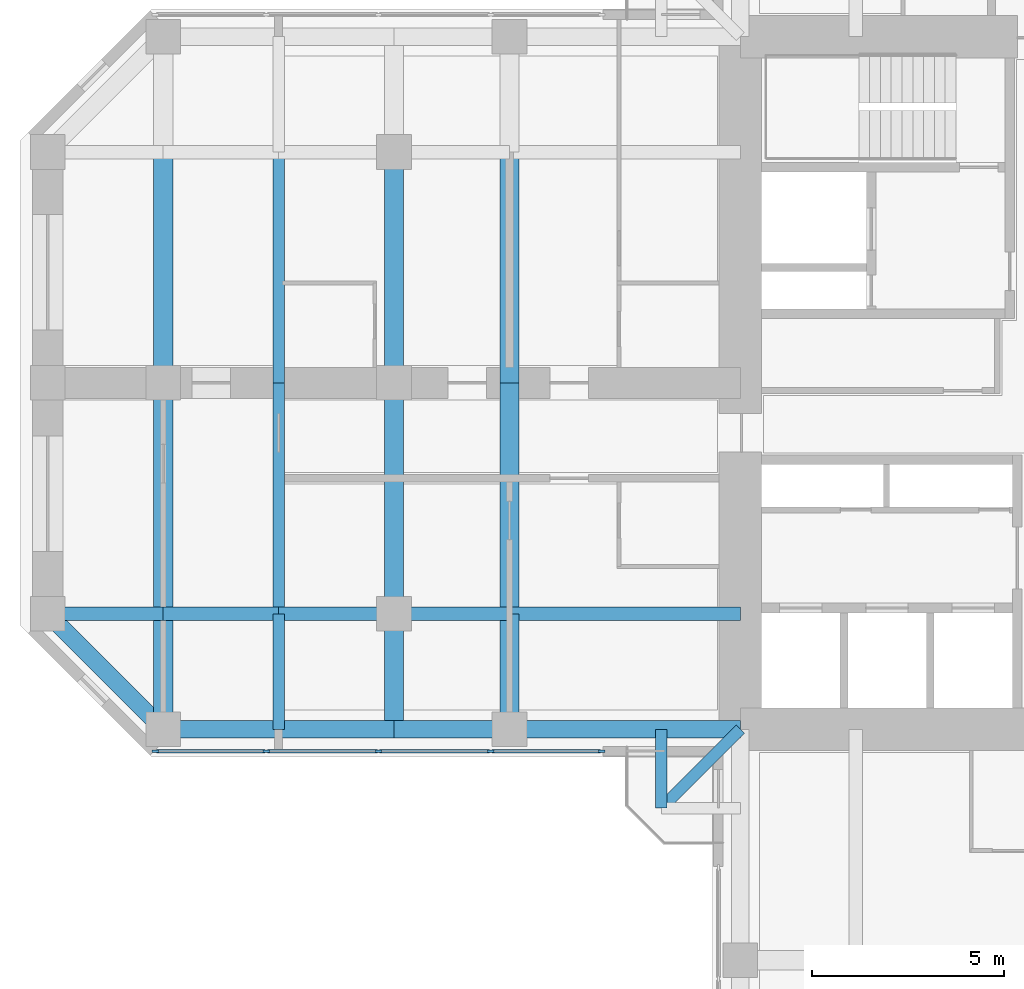
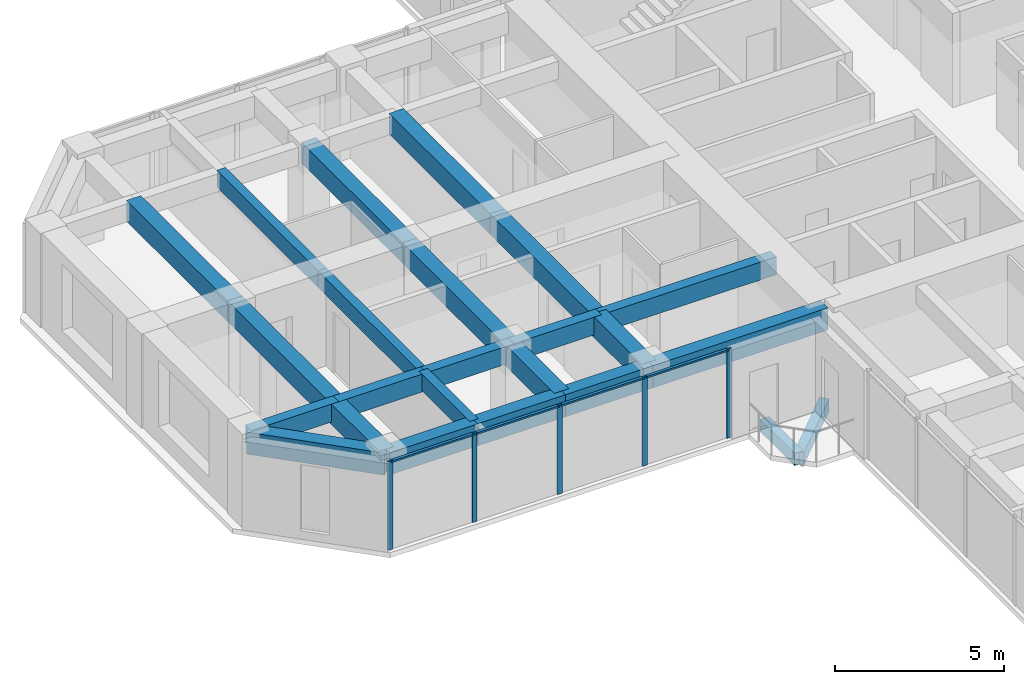
# One storey, part 3 of 14: 24 beams, 9 members, 1 element without a shape of its own.
"""IFC4 building model written with IfcOpenShell, lengths in metres."""

from ifc_helpers import new_model, si_unit, direction, frame, origin, origin_2d, place, context, subcontext, project, spatial, rectangle, extrude, material, material_profile, profile_set, type_object, element, aggregate, save


model = new_model("IFC4")

# Units and contexts
model_context = context("Model", 3, precision=1e-05, world=origin(), true_north=direction((0.0, 1.0)))
body_context = subcontext(model_context, "Body", "Model", "MODEL_VIEW")
ifc_project = project(units=[si_unit("LENGTHUNIT", "METRE"), si_unit("AREAUNIT", "SQUARE_METRE"), si_unit("VOLUMEUNIT", "CUBIC_METRE"), si_unit("PLANEANGLEUNIT", "RADIAN"), si_unit("MASSUNIT", "GRAM", prefix="KILO")], contexts=[model_context])

# Site, building, storey
site_placement = place(None, origin())
site = spatial("IfcSite", under=ifc_project, at=site_placement, CompositionType="ELEMENT")
building_placement = place(site_placement, origin())
building = spatial("IfcBuilding", under=site, at=building_placement, Name="Torre Cruceta", CompositionType="ELEMENT")
storey_placement = place(building_placement, frame((0.0, 0.0, 200.10009765625)))
storey = spatial("IfcBuildingStorey", under=building, at=storey_placement, Name="L50", CompositionType="ELEMENT", Elevation=200.10009765625)

# Beams
ifc_material_1 = material(Name="Concrete G60 (fck 60 MPa)", Category="concrete")
ifc_material_profile_1 = material_profile(ifc_material_1, rectangle(XDim=0.300048828125, YDim=0.449951171875, at=origin_2d()), Name="RC 300X450")
ifc_profile_set_1 = profile_set([ifc_material_profile_1], Name="Concrete G60 (fck 60 MPa)")
beam_type_1 = type_object("IfcBeamType", Name="BALCONY CANTILEVER BEAM RC 300X450", PredefinedType="BEAM", material=ifc_profile_set_1)
beam_1_placement = place(storey_placement, frame((-9.0, -9.0, -0.405029296875), z_axis=(-0.707106781187, -0.707106781187, 0.0), x_axis=(0.707106781187, -0.707106781187, 0.0)))
element("IfcBeam", 1, at=beam_1_placement, inside=storey, type_object=beam_type_1, Name="BB1 balcony beam L50 W", PredefinedType="BEAM", context=body_context, shape_type="SweptSolid", body=[
    extrude(rectangle(XDim=0.300048828125, YDim=0.449951171875, at=origin_2d()), origin(), (0.0, 0.0, 1.0), 2.89990234375),
])
beam_2_placement = place(storey_placement, frame((-11.050537109375, -9.0, -0.405029296875), z_axis=(0.0, -1.0, 0.0), x_axis=(1.0, 0.0, 0.0)))
element("IfcBeam", 2, at=beam_2_placement, inside=storey, type_object=beam_type_1, Name="BB1 balcony edge beam L50 W-X", PredefinedType="BEAM", context=body_context, shape_type="SweptSolid", body=[
    extrude(rectangle(XDim=0.300048828125, YDim=0.449951171875, at=origin_2d()), origin(), (0.0, 0.0, 1.0), 2.050537109375),
])
ifc_material_2 = material(Name="Concrete G60 (fck 60 MPa)", Category="concrete")
ifc_material_profile_2 = material_profile(ifc_material_2, rectangle(XDim=0.35009765625, YDim=0.64990234375, at=origin_2d()), Name="RC 350X650")
ifc_profile_set_2 = profile_set([ifc_material_profile_2], Name="Concrete G60 (fck 60 MPa)")
beam_type_2 = type_object("IfcBeamType", Name="COLUMN LINE BEAM RC 350X650", PredefinedType="BEAM", material=ifc_profile_set_2)
beam_3_placement = place(storey_placement, frame((-9.0, -6.0, 2.89501953125), z_axis=(-1.0, 0.0, 0.0), x_axis=(0.0, -1.0, 0.0)))
element("IfcBeam", 3, at=beam_3_placement, inside=storey, type_object=beam_type_2, Name="LB7 L50 W col+ 1", PredefinedType="BEAM", context=body_context, shape_type="SweptSolid", body=[
    extrude(rectangle(XDim=0.35009765625, YDim=0.64990234375, at=origin_2d()), origin(), (0.0, 0.0, 1.0), 6.0),
])
for number, where, z_axis, x_axis, name in (
    (4, (-15.0, -6.0, 2.89501953125), (-1.0, 0.0, 0.0), (0.0, -1.0, 0.0), "LB7 L50 W col+ 2"),
    (5, (-18.0, -6.0, 2.89501953125), (-1.0, 0.0, 0.0), (0.0, -1.0, 0.0), "LB7 L50 W col+ 3"),
    (6, (-21.0, -6.0, 2.89501953125), (-1.0, 0.0, 0.0), (0.0, -1.0, 0.0), "LB7 L50 W col+ 4"),
    (7, (-24.0, -6.0, 2.89501953125), (-1.0, 0.0, 0.0), (0.0, -1.0, 0.0), "LB7 L50 W col+ 5"),
):
    element("IfcBeam", number, at=place(storey_placement, frame(where, z_axis=z_axis, x_axis=x_axis)), inside=storey, type_object=beam_type_2, Name=name, PredefinedType="BEAM", context=body_context, shape_type="SweptSolid", body=[
        extrude(rectangle(XDim=0.35009765625, YDim=0.64990234375, at=origin_2d()), origin(), (0.0, 0.0, 1.0), 3.0),
    ])
ifc_material_3 = material(Name="Concrete G60 (fck 60 MPa)", Category="concrete")
ifc_material_profile_3 = material_profile(ifc_material_3, rectangle(XDim=0.5, YDim=0.75, at=origin_2d()), Name="RC 500X750")
ifc_profile_set_3 = profile_set([ifc_material_profile_3], Name="Concrete G60 (fck 60 MPa)")
beam_type_3 = type_object("IfcBeamType", Name="CROSS BEAM RC 500X750", PredefinedType="BEAM", material=ifc_profile_set_3)
for number, where, z_axis, x_axis, name in (
    (8, (-15.0, 6.0, 2.844970703125), (0.0, -1.0, 0.0), (1.0, 0.0, 0.0), "GB6 L50 W cross15 2"),
    (9, (-15.0, 0.0, 2.844970703125), (0.0, -1.0, 0.0), (1.0, 0.0, 0.0), "GB6 L50 W cross15 3"),
):
    element("IfcBeam", number, at=place(storey_placement, frame(where, z_axis=z_axis, x_axis=x_axis)), inside=storey, type_object=beam_type_3, Name=name, PredefinedType="BEAM", context=body_context, shape_type="SweptSolid", body=[
        extrude(rectangle(XDim=0.5, YDim=0.75, at=origin_2d()), origin(), (0.0, 0.0, 1.0), 6.0),
    ])
beam_4_placement = place(storey_placement, frame((-15.0, -6.0, 2.844970703125), z_axis=(0.0, -1.0, 0.0), x_axis=(1.0, 0.0, 0.0)))
element("IfcBeam", 10, at=beam_4_placement, inside=storey, type_object=beam_type_3, Name="GB6 L50 W cross15 4", PredefinedType="BEAM", context=body_context, shape_type="SweptSolid", body=[
    extrude(rectangle(XDim=0.5, YDim=0.75, at=origin_2d()), origin(), (0.0, 0.0, 1.0), 3.0),
])
for number, where, z_axis, x_axis, name in (
    (11, (-18.0, 6.0, 2.844970703125), (0.0, -1.0, 0.0), (1.0, 0.0, 0.0), "GB6 L50 W cross18 2"),
    (12, (-18.0, 0.0, 2.844970703125), (0.0, -1.0, 0.0), (1.0, 0.0, 0.0), "GB6 L50 W cross18 3"),
):
    element("IfcBeam", number, at=place(storey_placement, frame(where, z_axis=z_axis, x_axis=x_axis)), inside=storey, type_object=beam_type_3, Name=name, PredefinedType="BEAM", context=body_context, shape_type="SweptSolid", body=[
        extrude(rectangle(XDim=0.5, YDim=0.75, at=origin_2d()), origin(), (0.0, 0.0, 1.0), 6.0),
    ])
beam_5_placement = place(storey_placement, frame((-18.0, -6.0, 2.844970703125), z_axis=(0.0, -1.0, 0.0), x_axis=(1.0, 0.0, 0.0)))
element("IfcBeam", 13, at=beam_5_placement, inside=storey, type_object=beam_type_3, Name="GB6 L50 W cross18 4", PredefinedType="BEAM", context=body_context, shape_type="SweptSolid", body=[
    extrude(rectangle(XDim=0.5, YDim=0.75, at=origin_2d()), origin(), (0.0, 0.0, 1.0), 3.0),
])
for number, where, z_axis, x_axis, name in (
    (14, (-24.0, 6.0, 2.844970703125), (0.0, -1.0, 0.0), (1.0, 0.0, 0.0), "GB6 L50 W cross24 2"),
    (15, (-24.0, 0.0, 2.844970703125), (0.0, -1.0, 0.0), (1.0, 0.0, 0.0), "GB6 L50 W cross24 3"),
):
    element("IfcBeam", number, at=place(storey_placement, frame(where, z_axis=z_axis, x_axis=x_axis)), inside=storey, type_object=beam_type_3, Name=name, PredefinedType="BEAM", context=body_context, shape_type="SweptSolid", body=[
        extrude(rectangle(XDim=0.5, YDim=0.75, at=origin_2d()), origin(), (0.0, 0.0, 1.0), 6.0),
    ])
beam_6_placement = place(storey_placement, frame((-24.0, -6.0, 2.844970703125), z_axis=(0.0, -1.0, 0.0), x_axis=(1.0, 0.0, 0.0)))
element("IfcBeam", 16, at=beam_6_placement, inside=storey, type_object=beam_type_3, Name="GB6 L50 W cross24 4", PredefinedType="BEAM", context=body_context, shape_type="SweptSolid", body=[
    extrude(rectangle(XDim=0.5, YDim=0.75, at=origin_2d()), origin(), (0.0, 0.0, 1.0), 3.0),
])

# Curtain wall, members
ifc_material_4 = material(Name="Aluminium unitised curtain wall", Category="aluminium")
curtain_wall_type = type_object("IfcCurtainWallType", Name="CURTAIN WALL CW-C CO-LIVING", PredefinedType="USERDEFINED", material=ifc_material_4)
curtain_wall_placement = place(storey_placement, origin())
curtain_wall = element("IfcCurtainWall", 17, at=curtain_wall_placement, inside=storey, type_object=curtain_wall_type, Name="CW-C L50 W side 14", ObjectType="UNITISED", PredefinedType="USERDEFINED")
ifc_material_5 = material(Name="Aluminium mullion", Category="aluminium")
ifc_material_profile_4 = material_profile(ifc_material_5, rectangle(XDim=0.06005859375, YDim=0.159912109375, at=origin_2d()), Name="AL 60X160")
ifc_profile_set_4 = profile_set([ifc_material_profile_4], Name="Aluminium mullion")
member_type_1 = type_object("IfcMemberType", Name="CW-C MULLION 60X160", PredefinedType="MULLION", material=ifc_profile_set_4)
member_1_placement = place(storey_placement, frame((-24.2060546875, -9.570068359375, 0.0), z_axis=(0.0, 0.0, 1.0), x_axis=(0.0, 1.0, 0.0)))
member_1 = element("IfcMember", 18, at=member_1_placement, type_object=member_type_1, Name="CW-C mullion 1", PredefinedType="MULLION", context=body_context, shape_type="SweptSolid", body=[
    extrude(rectangle(XDim=0.06005859375, YDim=0.159912109375, at=origin_2d()), origin(), (0.0, 0.0, 1.0), 3.219970703125),
])
member_2_placement = place(storey_placement, frame((-21.319580078125, -9.570068359375, 0.0), z_axis=(0.0, 0.0, 1.0), x_axis=(0.0, 1.0, 0.0)))
member_2 = element("IfcMember", 19, at=member_2_placement, type_object=member_type_1, Name="CW-C mullion 2", PredefinedType="MULLION", context=body_context, shape_type="SweptSolid", body=[
    extrude(rectangle(XDim=0.06005859375, YDim=0.159912109375, at=origin_2d()), origin(), (0.0, 0.0, 1.0), 3.219970703125),
])
member_3_placement = place(storey_placement, frame((-18.403076171875, -9.570068359375, 0.0), z_axis=(0.0, 0.0, 1.0), x_axis=(0.0, 1.0, 0.0)))
member_3 = element("IfcMember", 20, at=member_3_placement, type_object=member_type_1, Name="CW-C mullion 3", PredefinedType="MULLION", context=body_context, shape_type="SweptSolid", body=[
    extrude(rectangle(XDim=0.06005859375, YDim=0.159912109375, at=origin_2d()), origin(), (0.0, 0.0, 1.0), 3.219970703125),
])
member_4_placement = place(storey_placement, frame((-15.486572265625, -9.570068359375, 0.0), z_axis=(0.0, 0.0, 1.0), x_axis=(0.0, 1.0, 0.0)))
member_4 = element("IfcMember", 21, at=member_4_placement, type_object=member_type_1, Name="CW-C mullion 4", PredefinedType="MULLION", context=body_context, shape_type="SweptSolid", body=[
    extrude(rectangle(XDim=0.06005859375, YDim=0.159912109375, at=origin_2d()), origin(), (0.0, 0.0, 1.0), 3.219970703125),
])
member_5_placement = place(storey_placement, frame((-12.60009765625, -9.570068359375, 0.0), z_axis=(0.0, 0.0, 1.0), x_axis=(0.0, 1.0, 0.0)))
member_5 = element("IfcMember", 22, at=member_5_placement, type_object=member_type_1, Name="CW-C mullion 5", PredefinedType="MULLION", context=body_context, shape_type="SweptSolid", body=[
    extrude(rectangle(XDim=0.06005859375, YDim=0.159912109375, at=origin_2d()), origin(), (0.0, 0.0, 1.0), 3.219970703125),
])
ifc_material_6 = material(Name="Aluminium transom", Category="aluminium")
ifc_material_profile_5 = material_profile(ifc_material_6, rectangle(XDim=0.10009765625, YDim=0.06005859375, at=origin_2d()), Name="AL 100X60")
ifc_profile_set_5 = profile_set([ifc_material_profile_5], Name="Aluminium transom")
member_type_2 = type_object("IfcMemberType", Name="CW-C TRANSOM 60X100", PredefinedType="USERDEFINED", material=ifc_profile_set_5)
member_6_placement = place(storey_placement, frame((-24.176025390625, -9.570068359375, 3.18994140625), z_axis=(1.0, 0.0, 0.0), x_axis=(0.0, 1.0, 0.0)))
member_6 = element("IfcMember", 23, at=member_6_placement, type_object=member_type_2, Name="CW-C transom 1", ObjectType="TRANSOM", PredefinedType="USERDEFINED", context=body_context, shape_type="SweptSolid", body=[
    extrude(rectangle(XDim=0.10009765625, YDim=0.06005859375, at=origin_2d()), origin(), (0.0, 0.0, 1.0), 2.826416015625),
])
member_7_placement = place(storey_placement, frame((-21.28955078125, -9.570068359375, 3.18994140625), z_axis=(1.0, 0.0, 0.0), x_axis=(0.0, 1.0, 0.0)))
member_7 = element("IfcMember", 24, at=member_7_placement, type_object=member_type_2, Name="CW-C transom 2", ObjectType="TRANSOM", PredefinedType="USERDEFINED", context=body_context, shape_type="SweptSolid", body=[
    extrude(rectangle(XDim=0.10009765625, YDim=0.06005859375, at=origin_2d()), origin(), (0.0, 0.0, 1.0), 2.8564453125),
])
member_8_placement = place(storey_placement, frame((-18.373046875, -9.570068359375, 3.18994140625), z_axis=(1.0, 0.0, 0.0), x_axis=(0.0, 1.0, 0.0)))
member_8 = element("IfcMember", 25, at=member_8_placement, type_object=member_type_2, Name="CW-C transom 3", ObjectType="TRANSOM", PredefinedType="USERDEFINED", context=body_context, shape_type="SweptSolid", body=[
    extrude(rectangle(XDim=0.10009765625, YDim=0.06005859375, at=origin_2d()), origin(), (0.0, 0.0, 1.0), 2.8564453125),
])
member_9_placement = place(storey_placement, frame((-15.45654296875, -9.570068359375, 3.18994140625), z_axis=(1.0, 0.0, 0.0), x_axis=(0.0, 1.0, 0.0)))
member_9 = element("IfcMember", 26, at=member_9_placement, type_object=member_type_2, Name="CW-C transom 4", ObjectType="TRANSOM", PredefinedType="USERDEFINED", context=body_context, shape_type="SweptSolid", body=[
    extrude(rectangle(XDim=0.10009765625, YDim=0.06005859375, at=origin_2d()), origin(), (0.0, 0.0, 1.0), 2.82666015625),
])
aggregate(curtain_wall, [member_1, member_2, member_3, member_4, member_5, member_6, member_7, member_8, member_9])

# Beams
ifc_material_7 = material(Name="Concrete G60 (fck 60 MPa)", Category="concrete")
ifc_material_profile_6 = material_profile(ifc_material_7, rectangle(XDim=0.300048828125, YDim=0.60009765625, at=origin_2d()), Name="RC 300X600")
ifc_profile_set_6 = profile_set([ifc_material_profile_6], Name="Concrete G60 (fck 60 MPa)")
beam_type_4 = type_object("IfcBeamType", Name="SECONDARY BEAM RC 300X600", PredefinedType="JOIST", material=ifc_profile_set_6)
for number, where, z_axis, x_axis, name in (
    (27, (-21.0, 6.0, 2.919921875), (0.0, -1.0, 0.0), (1.0, 0.0, 0.0), "JB6 L50 W sec21 2"),
    (28, (-21.0, 0.0, 2.919921875), (0.0, -1.0, 0.0), (1.0, 0.0, 0.0), "JB6 L50 W sec21 3"),
):
    element("IfcBeam", number, at=place(storey_placement, frame(where, z_axis=z_axis, x_axis=x_axis)), inside=storey, type_object=beam_type_4, Name=name, PredefinedType="JOIST", context=body_context, shape_type="SweptSolid", body=[
        extrude(rectangle(XDim=0.300048828125, YDim=0.60009765625, at=origin_2d()), origin(), (0.0, 0.0, 1.0), 6.0),
    ])
beam_7_placement = place(storey_placement, frame((-21.0, -6.0, 2.919921875), z_axis=(0.0, -1.0, 0.0), x_axis=(1.0, 0.0, 0.0)))
element("IfcBeam", 29, at=beam_7_placement, inside=storey, type_object=beam_type_4, Name="JB6 L50 W sec21 4", PredefinedType="JOIST", context=body_context, shape_type="SweptSolid", body=[
    extrude(rectangle(XDim=0.300048828125, YDim=0.60009765625, at=origin_2d()), origin(), (0.0, 0.0, 1.0), 3.0),
])
ifc_material_8 = material(Name="Concrete G60 (fck 60 MPa)", Category="concrete")
ifc_material_profile_7 = material_profile(ifc_material_8, rectangle(XDim=0.449951171875, YDim=0.800048828125, at=origin_2d()), Name="RC 450X800")
ifc_profile_set_7 = profile_set([ifc_material_profile_7], Name="Concrete G60 (fck 60 MPa)")
beam_type_5 = type_object("IfcBeamType", Name="SPANDREL BEAM RC 450X800", PredefinedType="SPANDREL", material=ifc_profile_set_7)
beam_8_placement = place(storey_placement, frame((-9.0, -9.0, 2.81982421875), z_axis=(-1.0, 0.0, 0.0), x_axis=(0.0, -1.0, 0.0)))
element("IfcBeam", 30, at=beam_8_placement, inside=storey, type_object=beam_type_5, Name="SB6 L50 W side+ 1", PredefinedType="SPANDREL", context=body_context, shape_type="SweptSolid", body=[
    extrude(rectangle(XDim=0.449951171875, YDim=0.800048828125, at=origin_2d()), origin(), (0.0, 0.0, 1.0), 6.0),
])
for number, where, z_axis, x_axis, name in (
    (31, (-15.0, -9.0, 2.81982421875), (-1.0, 0.0, 0.0), (0.0, -1.0, 0.0), "SB6 L50 W side+ 2"),
    (32, (-18.0, -9.0, 2.81982421875), (-1.0, 0.0, 0.0), (0.0, -1.0, 0.0), "SB6 L50 W side+ 3"),
    (33, (-21.0, -9.0, 2.81982421875), (-1.0, 0.0, 0.0), (0.0, -1.0, 0.0), "SB6 L50 W side+ 4"),
):
    element("IfcBeam", number, at=place(storey_placement, frame(where, z_axis=z_axis, x_axis=x_axis)), inside=storey, type_object=beam_type_5, Name=name, PredefinedType="SPANDREL", context=body_context, shape_type="SweptSolid", body=[
        extrude(rectangle(XDim=0.449951171875, YDim=0.800048828125, at=origin_2d()), origin(), (0.0, 0.0, 1.0), 3.0),
    ])
beam_9_placement = place(storey_placement, frame((-24.0, -9.0, 2.81982421875), z_axis=(-0.707106781187, 0.707106781187, 0.0), x_axis=(-0.707106781187, -0.707106781187, 0.0)))
element("IfcBeam", 34, at=beam_9_placement, inside=storey, type_object=beam_type_5, Name="SB6 L50 W side+ 5", PredefinedType="SPANDREL", context=body_context, shape_type="SweptSolid", body=[
    extrude(rectangle(XDim=0.449951171875, YDim=0.800048828125, at=origin_2d()), origin(), (0.0, 0.0, 1.0), 4.24267578125),
])

save(model, "model.ifc")
